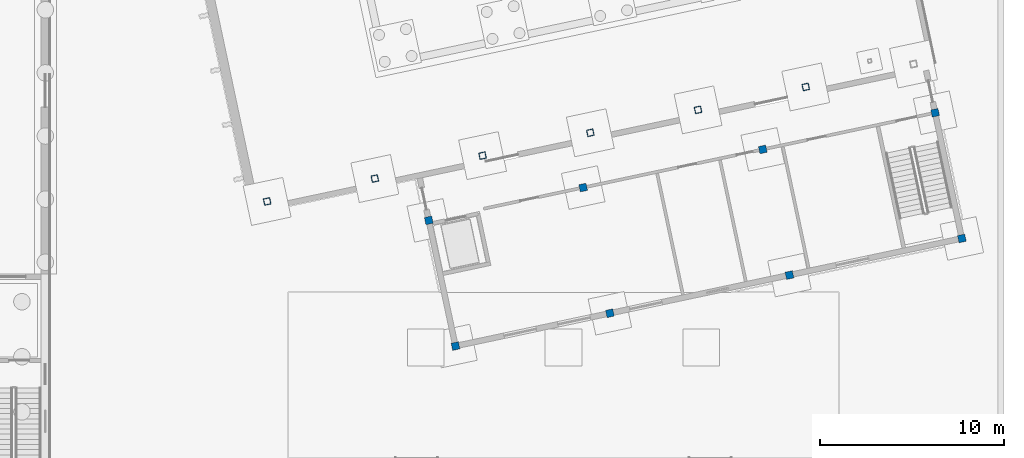
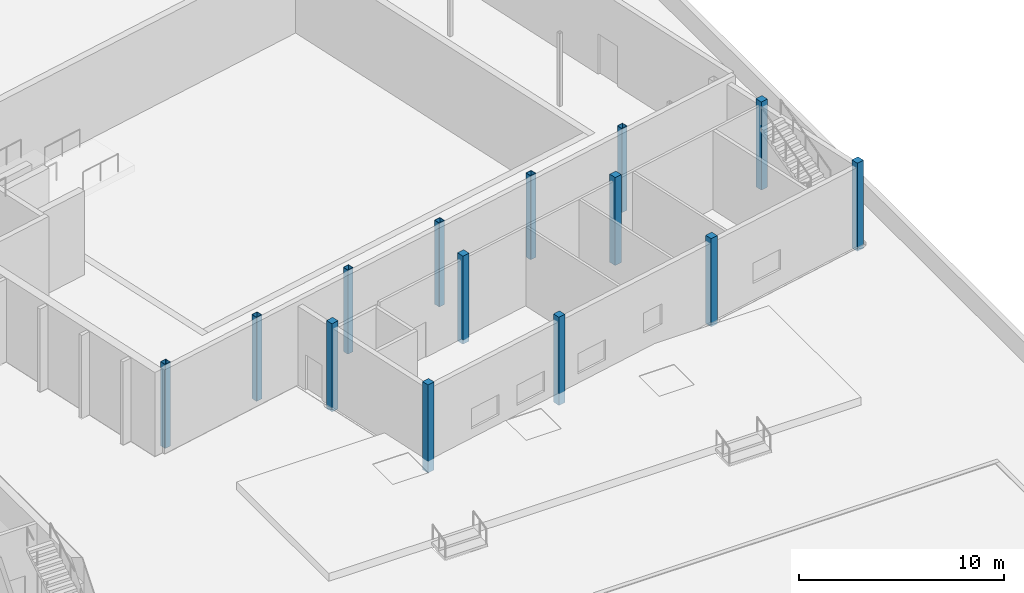
# One storey, part 21 of 157: 14 columns.
"""IFC4 building model written with IfcOpenShell, lengths in metres."""

from ifc_helpers import new_model, si_unit, direction, frame, origin, origin_2d, place, context, subcontext, project, spatial, rectangle, hollow_rectangle, extrude, material, material_profile, profile_set, type_object, element, save


model = new_model("IFC4")

# Units and contexts
model_context = context("Model", 3, precision=1e-05, world=origin(), true_north=direction((0.0, 1.0)))
body_context = subcontext(model_context, "Body", "Model", "MODEL_VIEW")
ifc_project = project(units=[si_unit("LENGTHUNIT", "METRE"), si_unit("AREAUNIT", "SQUARE_METRE"), si_unit("VOLUMEUNIT", "CUBIC_METRE"), si_unit("PLANEANGLEUNIT", "RADIAN"), si_unit("MASSUNIT", "GRAM", prefix="KILO")], contexts=[model_context])

# Site, building, storey
site_placement = place(None, origin())
site = spatial("IfcSite", under=ifc_project, at=site_placement, CompositionType="ELEMENT")
building_placement = place(site_placement, origin())
building = spatial("IfcBuilding", under=site, at=building_placement, Name="Windward Yard Aquatics Centre", CompositionType="ELEMENT")
storey_placement = place(building_placement, origin())
storey = spatial("IfcBuildingStorey", under=building, at=storey_placement, Name="L00", CompositionType="ELEMENT", Elevation=0.0)

# Columns
ifc_material_1 = material(Name="Steel ASTM A500 Gr C", Category="steel")
ifc_material_profile_1 = material_profile(ifc_material_1, hollow_rectangle(XDim=0.355712890625, YDim=0.355712890625, WallThickness=0.015869140625, InnerFilletRadius=0.008056640625, OuterFilletRadius=0.02392578125, at=origin_2d()), Name="HSS356X356X15.9")
ifc_profile_set_1 = profile_set([ifc_material_profile_1], Name="Steel ASTM A500 Gr C")
column_type_1 = type_object("IfcColumnType", Name="D column HSS356X356X15.9", PredefinedType="COLUMN", material=ifc_profile_set_1)
for number, where, z_axis, x_axis, name in (
    (1, (163.857177734375, 41.961669921875, 0.0), (0.0, 0.0, 1.0), (0.978147600734, 0.207911690818, 0.0), "D.COL.1.1.2"),
    (2, (169.72607421875, 43.208984375, 0.0), (0.0, 0.0, 1.0), (0.978147600734, 0.207911690818, 0.0), "D.COL.2.1.2"),
    (3, (175.594970703125, 44.45654296875, 0.0), (0.0, 0.0, 1.0), (0.978147600734, 0.207911690818, 0.0), "D.COL.3.1.2"),
    (4, (181.4638671875, 45.7041015625, 0.0), (0.0, 0.0, 1.0), (0.978147600734, 0.207911690818, 0.0), "D.COL.4.1.2"),
    (5, (187.332763671875, 46.951416015625, 0.0), (0.0, 0.0, 1.0), (0.978147600734, 0.207911690818, 0.0), "D.COL.5.1.2"),
    (6, (193.20166015625, 48.198974609375, 0.0), (0.0, 0.0, 1.0), (0.978147600734, 0.207911690818, 0.0), "D.COL.6.1.2"),
):
    element("IfcColumn", number, at=place(storey_placement, frame(where, z_axis=z_axis, x_axis=x_axis)), inside=storey, type_object=column_type_1, Name=name, PredefinedType="COLUMN", context=body_context, shape_type="SweptSolid", body=[
        extrude(hollow_rectangle(XDim=0.355712890625, YDim=0.355712890625, WallThickness=0.015869140625, InnerFilletRadius=0.008056640625, OuterFilletRadius=0.02392578125, at=origin_2d()), origin(), (0.0, 0.0, 1.0), 5.0),
    ])
ifc_material_2 = material(Name="Concrete C35/45", Category="concrete")
ifc_material_profile_2 = material_profile(ifc_material_2, rectangle(XDim=0.39990234375, YDim=0.39990234375, at=origin_2d()), Name="RC 400X400")
ifc_profile_set_2 = profile_set([ifc_material_profile_2], Name="Concrete C35/45")
column_type_2 = type_object("IfcColumnType", Name="D column RC 400X400", PredefinedType="COLUMN", material=ifc_profile_set_2)
for number, where, z_axis, x_axis, name in (
    (7, (174.119384765625, 34.0830078125, -0.25), (0.0, 0.0, 1.0), (0.978147600734, 0.207911690818, 0.0), "D.COL.L00.1.1"),
    (8, (172.6640625, 40.93017578125, -0.25), (0.0, 0.0, 1.0), (0.978147600734, 0.207911690818, 0.0), "D.COL.L00.1.2"),
    (9, (182.531494140625, 35.87109375, -0.25), (0.0, 0.0, 1.0), (0.978147600734, 0.207911690818, 0.0), "D.COL.L00.2.1"),
    (10, (181.076171875, 42.71826171875, -0.25), (0.0, 0.0, 1.0), (0.978147600734, 0.207911690818, 0.0), "D.COL.L00.2.2"),
    (11, (192.31298828125, 37.9501953125, -0.25), (0.0, 0.0, 1.0), (0.978147600734, 0.207911690818, 0.0), "D.COL.L00.3.1"),
    (12, (190.857666015625, 44.79736328125, -0.25), (0.0, 0.0, 1.0), (0.978147600734, 0.207911690818, 0.0), "D.COL.L00.3.2"),
    (13, (201.703125, 39.9462890625, -0.25), (0.0, 0.0, 1.0), (0.978147600734, 0.207911690818, 0.0), "D.COL.L00.4.1"),
    (14, (200.247802734375, 46.793212890625, -0.25), (0.0, 0.0, 1.0), (0.978147600734, 0.207911690818, 0.0), "D.COL.L00.4.2"),
):
    element("IfcColumn", number, at=place(storey_placement, frame(where, z_axis=z_axis, x_axis=x_axis)), inside=storey, type_object=column_type_2, Name=name, PredefinedType="COLUMN", context=body_context, shape_type="SweptSolid", body=[
        extrude(rectangle(XDim=0.39990234375, YDim=0.39990234375, at=origin_2d()), origin(), (0.0, 0.0, 1.0), 5.25),
    ])

save(model, "model.ifc")
